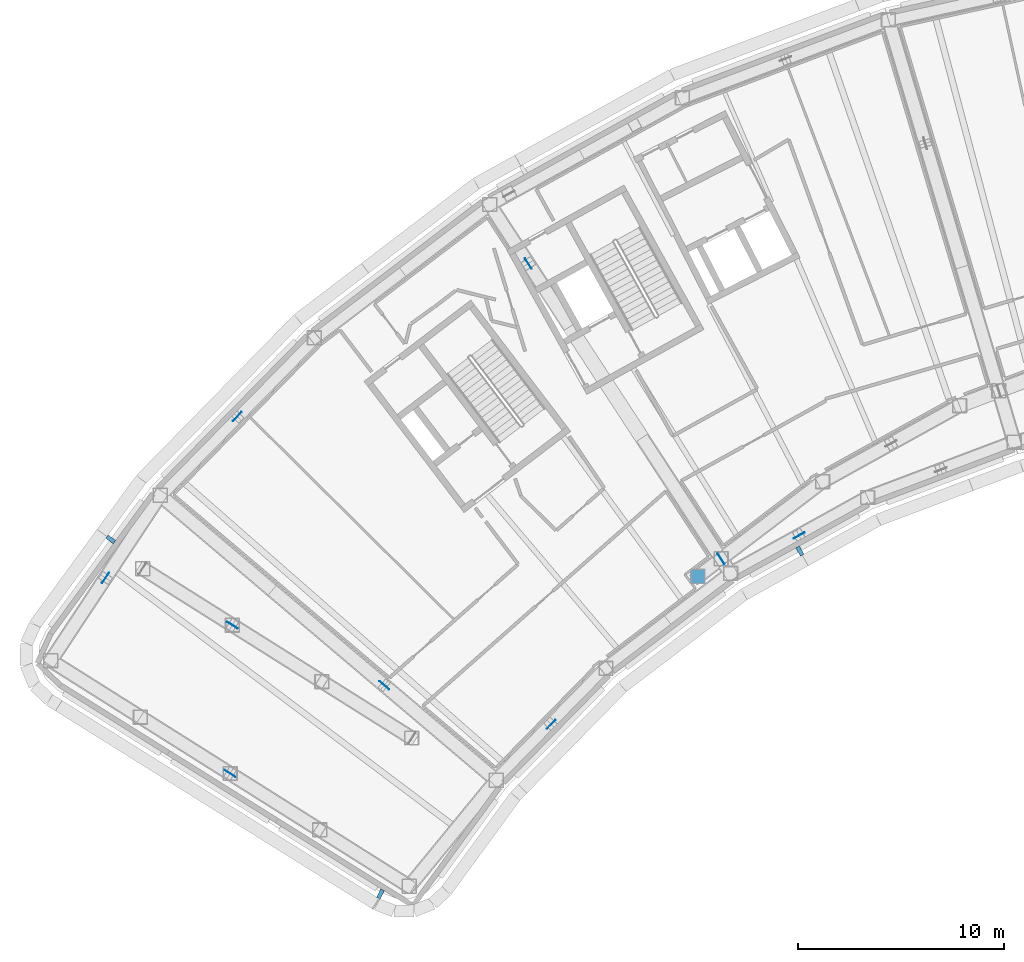
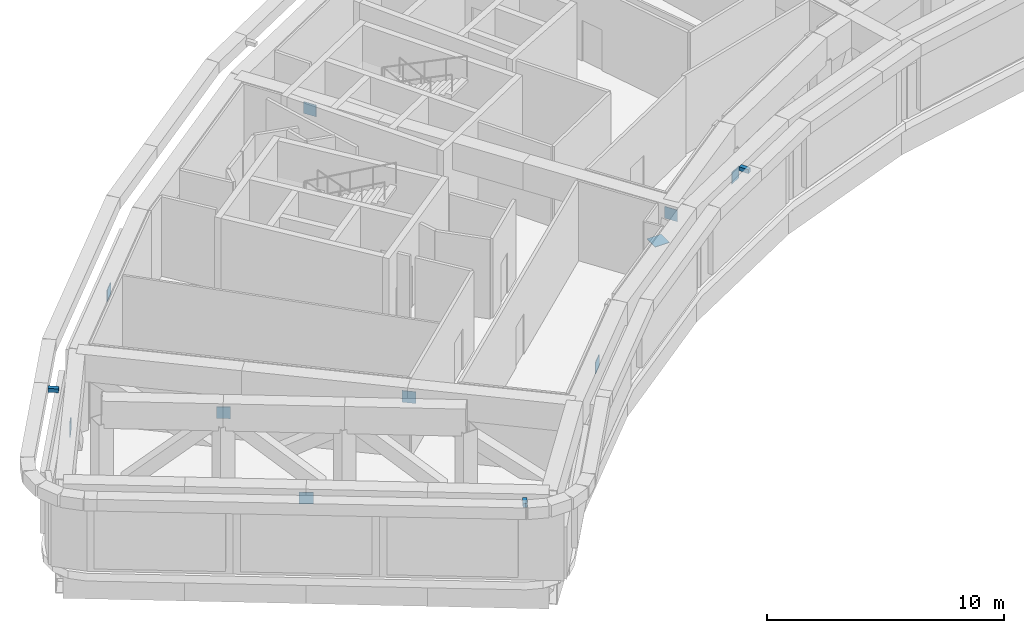
# One storey, part 16 of 25: 13 discrete accessories.
"""IFC4 building model written with IfcOpenShell, lengths in metres."""

import ifcopenshell
import ifcopenshell.guid

model = None  # the IFC model being written
_history = None  # IfcOwnerHistory: only IFC2X3 demands one
_inside = {}  # id of a spatial element -> (the spatial element, [elements in it])
_under = {}  # id of a project, library or spatial element -> (it, [spatial elements below it])
_declared = {}  # id of a project -> (the project, [libraries it declares])
_typed = {}  # id of a type object -> (the type object, [elements of that type])
_made_of = {}  # id of a material, layer set ... -> (it, [elements and type objects made of it])


def new_model(schema):
    """Start an empty IFC model of exactly this schema.

    Asked for "IFC4X3", IfcOpenShell would pick the latest addendum, in which some entities
    have other attributes; the version numbers below select the first issue.
    IFC2X3 requires an IfcOwnerHistory on every rooted entity: one is made here for all.
    """
    global model, _history
    if schema == "IFC4X3":
        model = ifcopenshell.file(schema_version=(4, 3, 0, 0))
    else:
        model = ifcopenshell.file(schema=schema)
    _inside.clear()
    _under.clear()
    _declared.clear()
    _typed.clear()
    _made_of.clear()
    _history = None
    if model.schema == "IFC2X3":
        org = make("IfcOrganization", Name="unknown")
        user = make(
            "IfcPersonAndOrganization",
            ThePerson=make("IfcPerson", FamilyName="unknown"),
            TheOrganization=org,
        )
        app = make(
            "IfcApplication",
            ApplicationDeveloper=org,
            Version="unknown",
            ApplicationFullName="unknown",
            ApplicationIdentifier="unknown",
        )
        _history = make(
            "IfcOwnerHistory",
            OwningUser=user,
            OwningApplication=app,
            ChangeAction="ADDED",
            CreationDate=0,
        )
    return model


def make(cls, **values):
    """One entity of the class cls with the attributes given. An attribute that is None is left unset."""
    return model.create_entity(
        cls, **{name: value for name, value in values.items() if value is not None}
    )


def rooted(cls, **values):
    """An entity with a GlobalId (a new one), such as an element, a storey or a relation."""
    return make(cls, GlobalId=ifcopenshell.guid.new(), OwnerHistory=_history, **values)


def si_unit(unit_type, name, prefix=None):
    """IfcSIUnit, for example si_unit("LENGTHUNIT", "METRE", prefix="MILLI")."""
    return make("IfcSIUnit", UnitType=unit_type, Prefix=prefix, Name=name)


def assignment(units):
    """IfcUnitAssignment: the units of a project."""
    return None if units is None else make("IfcUnitAssignment", Units=units)


def point(xyz):
    """IfcCartesianPoint."""
    return None if xyz is None else make("IfcCartesianPoint", Coordinates=xyz)


def direction(xyz):
    """IfcDirection."""
    return None if xyz is None else make("IfcDirection", DirectionRatios=xyz)


def frame(location, z_axis=None, x_axis=None):
    """IfcAxis2Placement3D, a coordinate frame: its origin and axes. An axis left out is left unset."""
    return make(
        "IfcAxis2Placement3D",
        Location=point(location),
        Axis=direction(z_axis),
        RefDirection=direction(x_axis),
    )


def frame_2d(location, x_axis=None):
    """IfcAxis2Placement2D, a coordinate frame in the plane: its origin and x axis."""
    return make(
        "IfcAxis2Placement2D", Location=point(location), RefDirection=direction(x_axis)
    )


def origin():
    """The frame at (0, 0, 0) with its axes left unset."""
    return frame((0.0, 0.0, 0.0))


def origin_2d():
    """The frame at (0, 0) in the plane with its x axis left unset."""
    return frame_2d((0.0, 0.0))


def place(relative_to, where):
    """IfcLocalPlacement: puts the frame where relative to a parent placement (None: the world)."""
    return make(
        "IfcLocalPlacement", PlacementRelTo=relative_to, RelativePlacement=where
    )


def context(
    kind, dimensions, precision=None, world=None, true_north=None, identifier=None
):
    """IfcGeometricRepresentationContext, for example the 3D "Model" context."""
    return make(
        "IfcGeometricRepresentationContext",
        ContextIdentifier=identifier,
        ContextType=kind,
        CoordinateSpaceDimension=dimensions,
        Precision=precision,
        WorldCoordinateSystem=world,
        TrueNorth=true_north,
    )


def subcontext(parent, identifier, kind, view, scale=None):
    """IfcGeometricRepresentationSubContext, for example "Body" below "Model"."""
    return make(
        "IfcGeometricRepresentationSubContext",
        ContextIdentifier=identifier,
        ContextType=kind,
        ParentContext=parent,
        TargetScale=scale,
        TargetView=view,
    )


def project(units=None, contexts=None):
    """IfcProject with its units and contexts."""
    return rooted(
        "IfcProject",
        Name="project",
        RepresentationContexts=contexts,
        UnitsInContext=assignment(units),
    )


def spatial(cls, under=None, at=None, **own):
    """A site, building, storey or space (cls), placed at a placement, below another one or the project."""
    s = rooted(cls, ObjectPlacement=at, **own)
    if under is not None:
        _under.setdefault(under.id(), (under, []))[1].append(s)
    return s


def profile(cls, at=None, kind="AREA", **sizes):
    """A parametric profile (cls). Its sizes go by their IFC names, for example OverallWidth=200.0."""
    return make(cls, ProfileType=kind, Position=at, **sizes)


def rectangle(**sizes):
    """IfcRectangleProfileDef."""
    return profile("IfcRectangleProfileDef", **sizes)


def extrude(swept, where, along, depth):
    """IfcExtrudedAreaSolid: the profile swept, set in the frame where, extruded along a direction by depth."""
    return make(
        "IfcExtrudedAreaSolid",
        SweptArea=swept,
        Position=where,
        ExtrudedDirection=direction(along),
        Depth=depth,
    )


def shape(context_of_items, identifier, shape_type, items):
    """IfcShapeRepresentation: the items that make up one representation, for example the "Body"."""
    return make(
        "IfcShapeRepresentation",
        ContextOfItems=context_of_items,
        RepresentationIdentifier=identifier,
        RepresentationType=shape_type,
        Items=items,
    )


def material(Name=None, Category=None):
    """IfcMaterial."""
    return make("IfcMaterial", Name=Name, Category=Category)


def made_of(thing, what):
    """Note that an element or type object is made of a material, layer set ...; save() writes the relation."""
    if what is not None:
        _made_of.setdefault(what.id(), (what, []))[1].append(thing)
    return thing


def type_object(cls, material=None, **own):
    """A type object (cls), such as IfcWallType, which elements share."""
    return made_of(rooted(cls, **own), material)


def element(
    cls,
    number,
    at=None,
    inside=None,
    cuts=None,
    type_object=None,
    material=None,
    context=None,
    identifier="Body",
    shape_type=None,
    held_by="IfcProductDefinitionShape",
    body=None,
    shapes=None,
    **own,
):
    """One element of the class cls, such as IfcWall. Its Tag is "e" and its number.

    at: its placement. inside: the storey or other place that contains it. cuts: it is an
    opening in that element (IfcRelVoidsElement). A single representation is given by context,
    identifier, shape_type and body (its items); several are given by shapes. held_by: the class
    of the entity that holds the representations. save() writes the other relations.
    """
    e = rooted(cls, Tag="e%d" % number, ObjectPlacement=at, **own)
    if body is not None:
        shapes = [shape(context, identifier, shape_type, body)]
    if shapes is not None:
        e.Representation = make(held_by, Representations=shapes)
    if inside is not None:
        _inside.setdefault(inside.id(), (inside, []))[1].append(e)
    if cuts is not None:
        rooted(
            "IfcRelVoidsElement", RelatingBuildingElement=cuts, RelatedOpeningElement=e
        )
    if type_object is not None:
        _typed.setdefault(type_object.id(), (type_object, []))[1].append(e)
    return made_of(e, material)


def aggregate(whole, parts):
    """IfcRelAggregates: a whole, such as a stair, and the parts it consists of."""
    return rooted("IfcRelAggregates", RelatingObject=whole, RelatedObjects=parts)


def save(model, path):
    """Write the relations noted so far, then the file.

    IfcRelAggregates (storeys below a building ...), IfcRelContainedInSpatialStructure (elements
    in a storey), IfcRelDefinesByType, IfcRelAssociatesMaterial and IfcRelDeclares: one each for
    every whole, place, type object, material and project.
    """
    for whole, parts in _under.values():
        aggregate(whole, parts)
    for where, things in _inside.values():
        rooted(
            "IfcRelContainedInSpatialStructure",
            RelatedElements=things,
            RelatingStructure=where,
        )
    for kind, things in _typed.values():
        rooted("IfcRelDefinesByType", RelatedObjects=things, RelatingType=kind)
    for what, things in _made_of.values():
        rooted("IfcRelAssociatesMaterial", RelatedObjects=things, RelatingMaterial=what)
    for by, libraries in _declared.values():
        rooted("IfcRelDeclares", RelatingContext=by, RelatedDefinitions=libraries)
    model.write(path)


model = new_model("IFC4")

# Units and contexts
model_context = context("Model", 3, precision=1e-05, world=origin(), true_north=direction((0.0, 1.0)))
body_context = subcontext(model_context, "Body", "Model", "MODEL_VIEW")
ifc_project = project(units=[si_unit("LENGTHUNIT", "METRE"), si_unit("AREAUNIT", "SQUARE_METRE"), si_unit("VOLUMEUNIT", "CUBIC_METRE"), si_unit("PLANEANGLEUNIT", "RADIAN"), si_unit("MASSUNIT", "GRAM", prefix="KILO")], contexts=[model_context])

# Site, building, storey
site_placement = place(None, origin())
site = spatial("IfcSite", under=ifc_project, at=site_placement, CompositionType="ELEMENT")
building_placement = place(site_placement, origin())
building = spatial("IfcBuilding", under=site, at=building_placement, Name="Tuul Gate Civic Tower", CompositionType="ELEMENT")
storey_placement = place(building_placement, frame((0.0, 0.0, 133.699951171875)))
storey = spatial("IfcBuildingStorey", under=building, at=storey_placement, Name="Plant and refuge floor 4", CompositionType="ELEMENT", Elevation=133.699951171875)

# Discrete accessories
ifc_material_1 = material(Name="Steel S355", Category="steel")
discrete_accessory_type_1 = type_object("IfcDiscreteAccessoryType", Name="End cap plate", PredefinedType="BRACKET", material=ifc_material_1)
discrete_accessory_1_placement = place(storey_placement, frame((-24.93798828125, -20.81689453125, 2.919921875), z_axis=(0.0, 0.0, 1.0), x_axis=(1.0, 0.0, 0.0)))
element("IfcDiscreteAccessory", 1, at=discrete_accessory_1_placement, inside=storey, type_object=discrete_accessory_type_1, Name="End cap plate", PredefinedType="BRACKET", context=body_context, shape_type="SweptSolid", body=[
    extrude(rectangle(XDim=0.699951171875, YDim=0.699951171875, at=origin_2d()), origin(), (0.0, 0.0, 1.0), 0.030029296875),
])
ifc_material_2 = material(Name="Steel S355", Category="steel")
discrete_accessory_type_2 = type_object("IfcDiscreteAccessoryType", Name="Gusset plate", PredefinedType="BRACKET", material=ifc_material_2)
for number, where, z_axis, x_axis, name in (
    (2, (-23.815185546875, -19.964111328125, 3.103759765625), (0.0, 0.0, 1.0), (-0.546710516181, 0.837321689375, 0.0), "Gusset plate"),
    (3, (-40.137451171875, -26.090087890625, 3.102783203125), (0.0, 0.0, 1.0), (-0.76282474496, 0.646605295738, 0.0), "Gusset plate"),
    (4, (-33.159423828125, -5.653076171875, 3.10400390625), (0.0, 0.0, 1.0), (-0.54671037004, 0.837321784794, 0.0), "Gusset plate"),
    (5, (-47.260986328125, -13.071533203125, 3.103271484375), (0.0, 0.0, 1.0), (0.700000236809, 0.714142610735, 0.0), "Gusset plate"),
    (6, (-53.6474609375, -20.890380859375, 3.103515625), (0.0, 0.0, 1.0), (0.551597524527, 0.834110406922, 0.0), "Gusset plate"),
    (7, (-32.050048828125, -27.98193359375, 3.103759765625), (0.0, 0.0, 1.0), (-0.699958144192, -0.714183867347, 0.0), "Gusset plate"),
    (8, (-20.032958984375, -18.83203125, 3.103759765625), (0.0, 0.0, 1.0), (-0.874653889523, -0.484747948467, 0.0), "Gusset plate"),
    (9, (-47.5, -23.176025390625, 3.103271484375), (0.0, 0.0, 1.0), (0.846187288195, -0.532885609956, 0.0), "Gusset plate"),
    (10, (-47.612060546875, -30.365966796875, 3.103271484375), (0.0, 0.0, 1.0), (0.84627513954, -0.532746082291, 0.0), "Gusset plate"),
):
    element("IfcDiscreteAccessory", number, at=place(storey_placement, frame(where, z_axis=z_axis, x_axis=x_axis)), inside=storey, type_object=discrete_accessory_type_2, Name=name, PredefinedType="BRACKET", context=body_context, shape_type="SweptSolid", body=[
        extrude(rectangle(XDim=0.60009765625, YDim=0.030029296875, at=origin_2d()), origin(), (0.0, 0.0, 1.0), 0.60009765625),
    ])
ifc_material_3 = material(Name="Stainless steel", Category="steel")
discrete_accessory_type_3 = type_object("IfcDiscreteAccessoryType", Name="Screen bracket", PredefinedType="BRACKET", material=ifc_material_3)
discrete_accessory_2_placement = place(storey_placement, frame((-53.394287109375, -19.02099609375, 4.05029296875), z_axis=(0.0, 0.0, 1.0), x_axis=(-0.802897594812, 0.596116978658, 0.0)))
element("IfcDiscreteAccessory", 11, at=discrete_accessory_2_placement, inside=storey, type_object=discrete_accessory_type_3, Name="Screen bracket 16", PredefinedType="BRACKET", context=body_context, shape_type="SweptSolid", body=[
    extrude(rectangle(XDim=0.449951171875, YDim=0.199951171875, at=origin_2d()), origin(), (0.0, 0.0, 1.0), 0.199951171875),
])
discrete_accessory_3_placement = place(storey_placement, frame((-40.318359375, -36.20361328125, 4.05029296875), z_axis=(0.0, 0.0, 1.0), x_axis=(-0.448838691736, -0.893612795791, 0.0)))
element("IfcDiscreteAccessory", 12, at=discrete_accessory_3_placement, inside=storey, type_object=discrete_accessory_type_3, Name="Screen bracket 19", PredefinedType="BRACKET", context=body_context, shape_type="SweptSolid", body=[
    extrude(rectangle(XDim=0.451904296875, YDim=0.199951171875, at=origin_2d()), origin(), (0.0, 0.0, 1.0), 0.199951171875),
])
discrete_accessory_4_placement = place(storey_placement, frame((-19.997314453125, -19.583984375, 4.05029296875), z_axis=(0.0, 0.0, 1.0), x_axis=(0.490456645852, -0.871465592286, 0.0)))
element("IfcDiscreteAccessory", 13, at=discrete_accessory_4_placement, inside=storey, type_object=discrete_accessory_type_3, Name="Screen bracket 22", PredefinedType="BRACKET", context=body_context, shape_type="SweptSolid", body=[
    extrude(rectangle(XDim=0.449951171875, YDim=0.199951171875, at=origin_2d()), origin(), (0.0, 0.0, 1.0), 0.199951171875),
])

save(model, "model.ifc")
